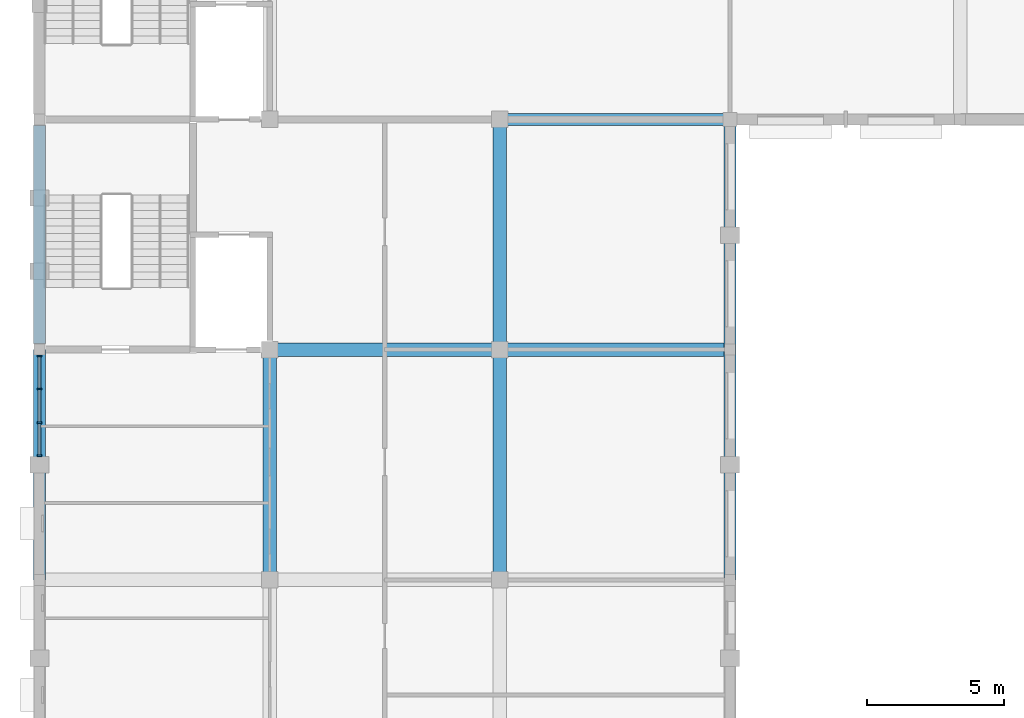
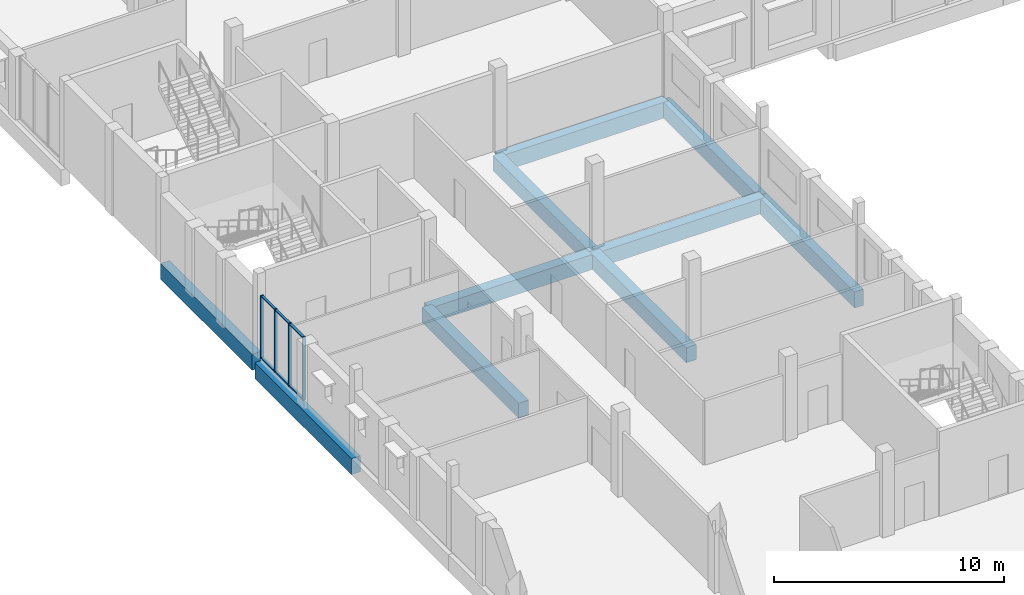
# One storey, part 38 of 116: 10 beams, 10 members, 1 element without a shape of its own.
"""IFC4 building model written with IfcOpenShell, lengths in metres."""

from ifc_helpers import new_model, si_unit, direction, frame, origin, origin_2d, place, context, subcontext, project, spatial, rectangle, extrude, material, material_profile, profile_set, type_object, element, aggregate, save


model = new_model("IFC4")

# Units and contexts
model_context = context("Model", 3, precision=1e-05, world=origin(), true_north=direction((0.0, 1.0)))
body_context = subcontext(model_context, "Body", "Model", "MODEL_VIEW")
ifc_project = project(units=[si_unit("LENGTHUNIT", "METRE"), si_unit("AREAUNIT", "SQUARE_METRE"), si_unit("VOLUMEUNIT", "CUBIC_METRE"), si_unit("PLANEANGLEUNIT", "RADIAN"), si_unit("MASSUNIT", "GRAM", prefix="KILO")], contexts=[model_context])

# Site, building, storey
site_placement = place(None, origin())
site = spatial("IfcSite", under=ifc_project, at=site_placement, CompositionType="ELEMENT")
building_placement = place(site_placement, origin())
building = spatial("IfcBuilding", under=site, at=building_placement, Name="Fescue Hill Polytechnic", CompositionType="ELEMENT")
storey_placement = place(building_placement, frame((0.0, 0.0, 13.5)))
storey = spatial("IfcBuildingStorey", under=building, at=storey_placement, Name="L03", CompositionType="ELEMENT", Elevation=13.5)

# Beams
ifc_material_1 = material(Name="Concrete 35 MPa", Category="concrete")
ifc_material_profile_1 = material_profile(ifc_material_1, rectangle(XDim=0.449951171875, YDim=0.85009765625, at=origin_2d()), Name="RC 450x850")
ifc_profile_set_1 = profile_set([ifc_material_profile_1], Name="Concrete 35 MPa")
beam_type_1 = type_object("IfcBeamType", Name="Beam RC 450x850", PredefinedType="BEAM", material=ifc_profile_set_1)
beam_1_placement = place(storey_placement, frame((0.0, 92.39990234375, -0.72509765625), z_axis=(0.0, 1.0, 0.0), x_axis=(-1.0, 0.0, 0.0)))
element("IfcBeam", 1, at=beam_1_placement, inside=storey, type_object=beam_type_1, Name="BM-L03-0005", PredefinedType="BEAM", context=body_context, shape_type="SweptSolid", body=[
    extrude(rectangle(XDim=0.449951171875, YDim=0.85009765625, at=origin_2d()), origin(), (0.0, 0.0, 1.0), 8.400146484375),
])
beam_2_placement = place(storey_placement, frame((16.800048828125, 109.199951171875, -0.72509765625), z_axis=(1.0, 0.0, 0.0), x_axis=(0.0, 1.0, 0.0)))
element("IfcBeam", 2, at=beam_2_placement, inside=storey, type_object=beam_type_1, Name="BM-L03-0039", PredefinedType="BEAM", context=body_context, shape_type="SweptSolid", body=[
    extrude(rectangle(XDim=0.449951171875, YDim=0.85009765625, at=origin_2d()), origin(), (0.0, 0.0, 1.0), 8.39990234375),
])
beam_3_placement = place(storey_placement, frame((25.199951171875, 92.39990234375, -0.72509765625), z_axis=(0.0, 1.0, 0.0), x_axis=(-1.0, 0.0, 0.0)))
element("IfcBeam", 3, at=beam_3_placement, inside=storey, type_object=beam_type_1, Name="BM-L03-0054", PredefinedType="BEAM", context=body_context, shape_type="SweptSolid", body=[
    extrude(rectangle(XDim=0.449951171875, YDim=0.85009765625, at=origin_2d()), origin(), (0.0, 0.0, 1.0), 8.400146484375),
])
beam_4_placement = place(storey_placement, frame((25.199951171875, 100.800048828125, -0.72509765625), z_axis=(0.0, 1.0, 0.0), x_axis=(-1.0, 0.0, 0.0)))
element("IfcBeam", 4, at=beam_4_placement, inside=storey, type_object=beam_type_1, Name="BM-L03-0055", PredefinedType="BEAM", context=body_context, shape_type="SweptSolid", body=[
    extrude(rectangle(XDim=0.449951171875, YDim=0.85009765625, at=origin_2d()), origin(), (0.0, 0.0, 1.0), 8.39990234375),
])
beam_5_placement = place(storey_placement, frame((0.0, 101.02490234375, -0.425048828125), z_axis=(0.0, 1.0, 0.0), x_axis=(-1.0, 0.0, 0.0)))
element("IfcBeam", 5, at=beam_5_placement, inside=storey, type_object=beam_type_1, Name="BM-L03-0129", PredefinedType="BEAM", context=body_context, shape_type="SweptSolid", body=[
    extrude(rectangle(XDim=0.449951171875, YDim=0.85009765625, at=origin_2d()), origin(), (0.0, 0.0, 1.0), 7.9501953125),
])
ifc_material_profile_2 = material_profile(ifc_material_1, rectangle(XDim=0.5, YDim=0.800048828125, at=origin_2d()), Name="RC 500x800")
ifc_profile_set_2 = profile_set([ifc_material_profile_2], Name="Concrete 35 MPa")
beam_type_2 = type_object("IfcBeamType", Name="Beam RC 500x800", PredefinedType="BEAM", material=ifc_profile_set_2)
beam_6_placement = place(storey_placement, frame((8.39990234375, 92.39990234375, -0.699951171875), z_axis=(0.0, 1.0, 0.0), x_axis=(-1.0, 0.0, 0.0)))
element("IfcBeam", 6, at=beam_6_placement, inside=storey, type_object=beam_type_2, Name="BM-L03-0021", PredefinedType="BEAM", context=body_context, shape_type="SweptSolid", body=[
    extrude(rectangle(XDim=0.5, YDim=0.800048828125, at=origin_2d()), origin(), (0.0, 0.0, 1.0), 8.400146484375),
])
beam_7_placement = place(storey_placement, frame((8.409912109375, 100.800048828125, -0.699951171875), z_axis=(1.0, 0.0, 0.0), x_axis=(0.0, 1.0, 0.0)))
element("IfcBeam", 7, at=beam_7_placement, inside=storey, type_object=beam_type_2, Name="BM-L03-0029", PredefinedType="BEAM", context=body_context, shape_type="SweptSolid", body=[
    extrude(rectangle(XDim=0.5, YDim=0.800048828125, at=origin_2d()), origin(), (0.0, 0.0, 1.0), 8.380126953125),
])
beam_8_placement = place(storey_placement, frame((16.800048828125, 92.39990234375, -0.699951171875), z_axis=(0.0, 1.0, 0.0), x_axis=(-1.0, 0.0, 0.0)))
element("IfcBeam", 8, at=beam_8_placement, inside=storey, type_object=beam_type_2, Name="BM-L03-0037", PredefinedType="BEAM", context=body_context, shape_type="SweptSolid", body=[
    extrude(rectangle(XDim=0.5, YDim=0.800048828125, at=origin_2d()), origin(), (0.0, 0.0, 1.0), 8.400146484375),
])
beam_9_placement = place(storey_placement, frame((16.800048828125, 100.800048828125, -0.699951171875), z_axis=(0.0, 1.0, 0.0), x_axis=(-1.0, 0.0, 0.0)))
element("IfcBeam", 9, at=beam_9_placement, inside=storey, type_object=beam_type_2, Name="BM-L03-0038", PredefinedType="BEAM", context=body_context, shape_type="SweptSolid", body=[
    extrude(rectangle(XDim=0.5, YDim=0.800048828125, at=origin_2d()), origin(), (0.0, 0.0, 1.0), 8.39990234375),
])
beam_10_placement = place(storey_placement, frame((16.81005859375, 100.800048828125, -0.699951171875), z_axis=(1.0, 0.0, 0.0), x_axis=(0.0, 1.0, 0.0)))
element("IfcBeam", 10, at=beam_10_placement, inside=storey, type_object=beam_type_2, Name="BM-L03-0048", PredefinedType="BEAM", context=body_context, shape_type="SweptSolid", body=[
    extrude(rectangle(XDim=0.5, YDim=0.800048828125, at=origin_2d()), origin(), (0.0, 0.0, 1.0), 8.3798828125),
])

# Curtain wall, members
ifc_material_2 = material(Name="Glass", Category="glass")
curtain_wall_type = type_object("IfcCurtainWallType", Name="Curtain wall structural glazing", PredefinedType="NOTDEFINED", material=ifc_material_2)
curtain_wall_placement = place(storey_placement, origin())
curtain_wall = element("IfcCurtainWall", 11, at=curtain_wall_placement, inside=storey, type_object=curtain_wall_type, Name="CW-L03-V4-X2", PredefinedType="NOTDEFINED")
ifc_material_3 = material(Name="Powder-coated aluminium", Category="aluminium")
ifc_material_profile_3 = material_profile(ifc_material_3, rectangle(XDim=0.159912109375, YDim=0.06005859375, at=origin_2d()), Name="Mullion aluminium 60x160")
ifc_profile_set_3 = profile_set([ifc_material_profile_3], Name="Powder-coated aluminium")
member_type_1 = type_object("IfcMemberType", Name="Mullion aluminium 60x160", PredefinedType="MULLION", material=ifc_profile_set_3)
member_1_placement = place(storey_placement, frame((0.0, 100.570068359375, 0.0), z_axis=(0.0, 0.0, 1.0), x_axis=(1.0, 0.0, 0.0)))
member_1 = element("IfcMember", 12, at=member_1_placement, type_object=member_type_1, Name="CW129 mullion 1", PredefinedType="MULLION", context=body_context, shape_type="SweptSolid", body=[
    extrude(rectangle(XDim=0.159912109375, YDim=0.06005859375, at=origin_2d()), origin(), (0.0, 0.0, 1.0), 3.330078125),
])
member_2_placement = place(storey_placement, frame((0.0, 99.36669921875, 0.0), z_axis=(0.0, 0.0, 1.0), x_axis=(1.0, 0.0, 0.0)))
member_2 = element("IfcMember", 13, at=member_2_placement, type_object=member_type_1, Name="CW129 mullion 2", PredefinedType="MULLION", context=body_context, shape_type="SweptSolid", body=[
    extrude(rectangle(XDim=0.159912109375, YDim=0.06005859375, at=origin_2d()), origin(), (0.0, 0.0, 1.0), 3.330078125),
])
member_3_placement = place(storey_placement, frame((0.0, 98.13330078125, 0.0), z_axis=(0.0, 0.0, 1.0), x_axis=(1.0, 0.0, 0.0)))
member_3 = element("IfcMember", 14, at=member_3_placement, type_object=member_type_1, Name="CW129 mullion 3", PredefinedType="MULLION", context=body_context, shape_type="SweptSolid", body=[
    extrude(rectangle(XDim=0.159912109375, YDim=0.06005859375, at=origin_2d()), origin(), (0.0, 0.0, 1.0), 3.330078125),
])
member_4_placement = place(storey_placement, frame((0.0, 96.929931640625, 0.0), z_axis=(0.0, 0.0, 1.0), x_axis=(1.0, 0.0, 0.0)))
member_4 = element("IfcMember", 15, at=member_4_placement, type_object=member_type_1, Name="CW129 mullion 4", PredefinedType="MULLION", context=body_context, shape_type="SweptSolid", body=[
    extrude(rectangle(XDim=0.159912109375, YDim=0.06005859375, at=origin_2d()), origin(), (0.0, 0.0, 1.0), 3.330078125),
])
ifc_material_profile_4 = material_profile(ifc_material_3, rectangle(XDim=0.1201171875, YDim=0.06005859375, at=origin_2d()), Name="Transom aluminium 60x120")
ifc_profile_set_4 = profile_set([ifc_material_profile_4], Name="Powder-coated aluminium")
member_type_2 = type_object("IfcMemberType", Name="Transom aluminium 60x120", PredefinedType="USERDEFINED", material=ifc_profile_set_4)
member_5_placement = place(storey_placement, frame((0.0, 100.5400390625, 0.030029296875), z_axis=(0.0, -1.0, 0.0), x_axis=(1.0, 0.0, 0.0)))
member_5 = element("IfcMember", 16, at=member_5_placement, type_object=member_type_2, Name="CW129 transom 1.1", ObjectType="TRANSOM", PredefinedType="USERDEFINED", context=body_context, shape_type="SweptSolid", body=[
    extrude(rectangle(XDim=0.1201171875, YDim=0.06005859375, at=origin_2d()), origin(), (0.0, 0.0, 1.0), 1.143310546875),
])
member_6_placement = place(storey_placement, frame((0.0, 100.5400390625, 3.300048828125), z_axis=(0.0, -1.0, 0.0), x_axis=(1.0, 0.0, 0.0)))
member_6 = element("IfcMember", 17, at=member_6_placement, type_object=member_type_2, Name="CW129 transom 1.2", ObjectType="TRANSOM", PredefinedType="USERDEFINED", context=body_context, shape_type="SweptSolid", body=[
    extrude(rectangle(XDim=0.1201171875, YDim=0.06005859375, at=origin_2d()), origin(), (0.0, 0.0, 1.0), 1.143310546875),
])
member_7_placement = place(storey_placement, frame((0.0, 99.336669921875, 0.030029296875), z_axis=(0.0, -1.0, 0.0), x_axis=(1.0, 0.0, 0.0)))
member_7 = element("IfcMember", 18, at=member_7_placement, type_object=member_type_2, Name="CW129 transom 2.1", ObjectType="TRANSOM", PredefinedType="USERDEFINED", context=body_context, shape_type="SweptSolid", body=[
    extrude(rectangle(XDim=0.1201171875, YDim=0.06005859375, at=origin_2d()), origin(), (0.0, 0.0, 1.0), 1.17333984375),
])
member_8_placement = place(storey_placement, frame((0.0, 99.336669921875, 3.300048828125), z_axis=(0.0, -1.0, 0.0), x_axis=(1.0, 0.0, 0.0)))
member_8 = element("IfcMember", 19, at=member_8_placement, type_object=member_type_2, Name="CW129 transom 2.2", ObjectType="TRANSOM", PredefinedType="USERDEFINED", context=body_context, shape_type="SweptSolid", body=[
    extrude(rectangle(XDim=0.1201171875, YDim=0.06005859375, at=origin_2d()), origin(), (0.0, 0.0, 1.0), 1.17333984375),
])
member_9_placement = place(storey_placement, frame((0.0, 98.103271484375, 0.030029296875), z_axis=(0.0, -1.0, 0.0), x_axis=(1.0, 0.0, 0.0)))
member_9 = element("IfcMember", 20, at=member_9_placement, type_object=member_type_2, Name="CW129 transom 3.1", ObjectType="TRANSOM", PredefinedType="USERDEFINED", context=body_context, shape_type="SweptSolid", body=[
    extrude(rectangle(XDim=0.1201171875, YDim=0.06005859375, at=origin_2d()), origin(), (0.0, 0.0, 1.0), 1.143310546875),
])
member_10_placement = place(storey_placement, frame((0.0, 98.103271484375, 3.300048828125), z_axis=(0.0, -1.0, 0.0), x_axis=(1.0, 0.0, 0.0)))
member_10 = element("IfcMember", 21, at=member_10_placement, type_object=member_type_2, Name="CW129 transom 3.2", ObjectType="TRANSOM", PredefinedType="USERDEFINED", context=body_context, shape_type="SweptSolid", body=[
    extrude(rectangle(XDim=0.1201171875, YDim=0.06005859375, at=origin_2d()), origin(), (0.0, 0.0, 1.0), 1.143310546875),
])
aggregate(curtain_wall, [member_1, member_2, member_3, member_4, member_5, member_6, member_7, member_8, member_9, member_10])

save(model, "model.ifc")
